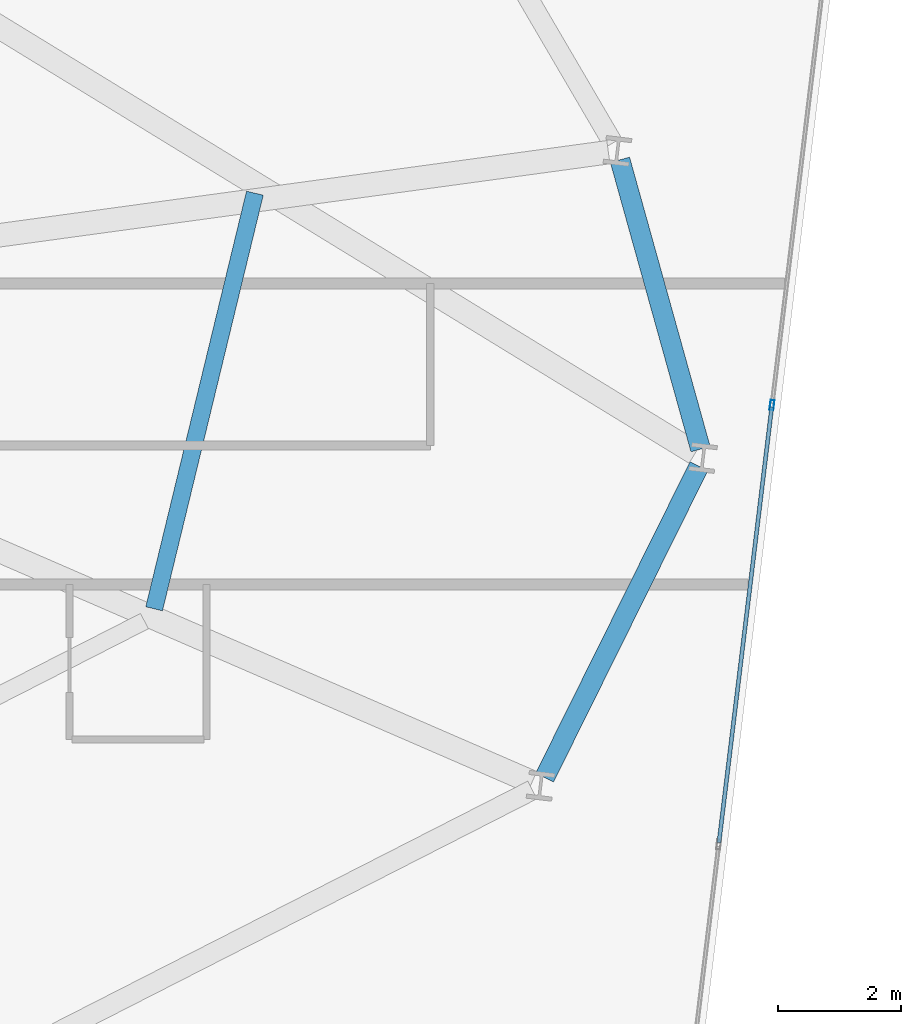
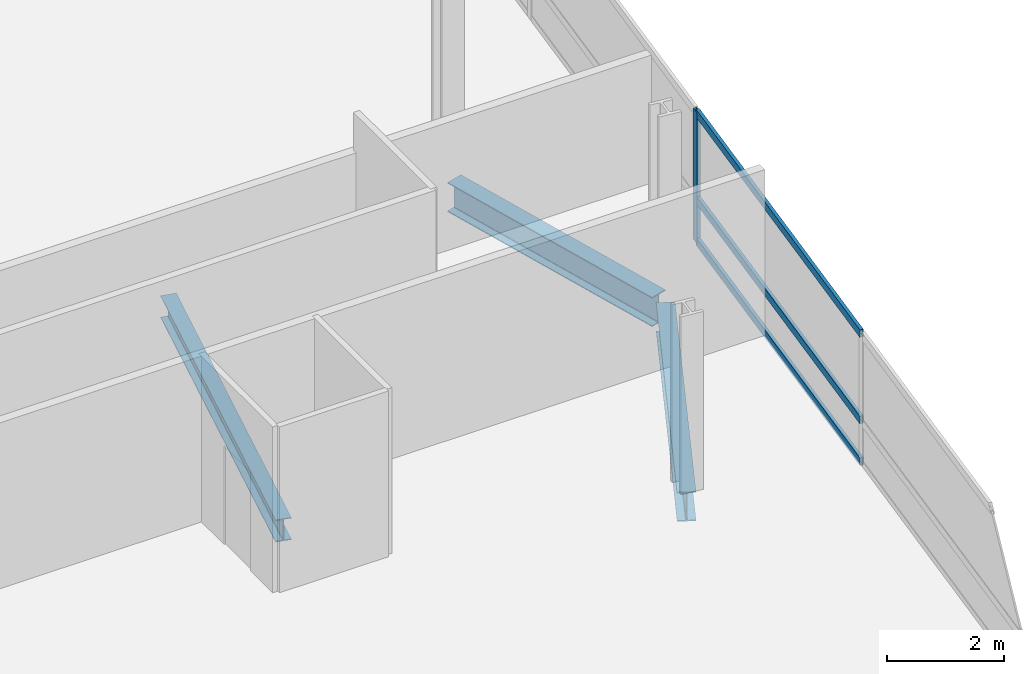
# One storey, part 15 of 25: 4 members, 3 beams, 1 element without a shape of its own.
"""IFC4 building model written with IfcOpenShell, lengths in metres."""

from ifc_helpers import new_model, si_unit, direction, frame, origin, origin_2d, place, context, subcontext, project, spatial, hollow_rectangle, i_section, extrude, material, layer, layer_set, material_profile, profile_set, type_object, element, aggregate, save


model = new_model("IFC4")

# Units and contexts
model_context = context("Model", 3, precision=1e-05, world=origin(), true_north=direction((0.0, 1.0)))
body_context = subcontext(model_context, "Body", "Model", "MODEL_VIEW")
ifc_project = project(units=[si_unit("LENGTHUNIT", "METRE"), si_unit("AREAUNIT", "SQUARE_METRE"), si_unit("VOLUMEUNIT", "CUBIC_METRE"), si_unit("PLANEANGLEUNIT", "RADIAN"), si_unit("MASSUNIT", "GRAM", prefix="KILO")], contexts=[model_context])

# Site, building, storey
site_placement = place(None, origin())
site = spatial("IfcSite", under=ifc_project, at=site_placement, CompositionType="ELEMENT")
building_placement = place(site_placement, origin())
building = spatial("IfcBuilding", under=site, at=building_placement, Name="Varnelok Gate Tower", CompositionType="ELEMENT")
storey_placement = place(building_placement, frame((0.0, 0.0, 136.5)))
storey = spatial("IfcBuildingStorey", under=building, at=storey_placement, Name="L34", CompositionType="ELEMENT", Elevation=136.5)

# Beams
ifc_material_1 = material(Name="Structural Steel ASTM A992 Grade 50", Category="steel")
ifc_material_profile_1 = material_profile(ifc_material_1, i_section(OverallWidth=0.280029296875, OverallDepth=0.462890625, WebThickness=0.0107421875, FlangeThickness=0.017333984375, FilletRadius=0.014892578125, at=origin_2d()), Name="W18X76")
ifc_profile_set_1 = profile_set([ifc_material_profile_1], Name="Structural Steel ASTM A992 Grade 50")
beam_type_1 = type_object("IfcBeamType", Name="BM-JST-W18X76", PredefinedType="JOIST", material=ifc_profile_set_1)
beam_1_placement = place(storey_placement, frame((65.509521484375, 13.952880859375, -0.4814453125), z_axis=(0.235590982902, 0.971852297819, 0.0), x_axis=(-0.971852297819, 0.235590982902, 0.0)))
element("IfcBeam", 1, at=beam_1_placement, inside=storey, type_object=beam_type_1, Name="L34 Sector Floor Joist 6", PredefinedType="JOIST", context=body_context, shape_type="SweptSolid", body=[
    extrude(i_section(OverallWidth=0.280029296875, OverallDepth=0.462890625, WebThickness=0.0107421875, FlangeThickness=0.017333984375, FilletRadius=0.014892578125, at=origin_2d()), origin(), (0.0, 0.0, 1.0), 6.95458984375),
])
ifc_material_profile_2 = material_profile(ifc_material_1, i_section(OverallWidth=0.323974609375, OverallDepth=0.611083984375, WebThickness=0.0126953125, FlangeThickness=0.01904296875, FilletRadius=0.01806640625, at=origin_2d()), Name="W24X104")
ifc_profile_set_2 = profile_set([ifc_material_profile_2], Name="Structural Steel ASTM A992 Grade 50")
beam_type_2 = type_object("IfcBeamType", Name="BM-SPN-W24X104", PredefinedType="SPANDREL", material=ifc_profile_set_2)
beam_2_placement = place(storey_placement, frame((71.859619140625, 11.20849609375, -0.555419921875), z_axis=(0.44413424616, 0.895960251009, 0.0), x_axis=(-0.895960251009, 0.44413424616, 0.0)))
element("IfcBeam", 2, at=beam_2_placement, inside=storey, type_object=beam_type_2, Name="L34 Perimeter Spandrel Beam 6", PredefinedType="SPANDREL", context=body_context, shape_type="SweptSolid", body=[
    extrude(i_section(OverallWidth=0.323974609375, OverallDepth=0.611083984375, WebThickness=0.0126953125, FlangeThickness=0.01904296875, FilletRadius=0.01806640625, at=origin_2d()), origin(), (0.0, 0.0, 1.0), 5.64990234375),
])
beam_3_placement = place(storey_placement, frame((74.395263671875, 16.54931640625, -0.555419921875), z_axis=(-0.26833732875, 0.963325011613, 0.0), x_axis=(-0.963325011613, -0.26833732875, 0.0)))
element("IfcBeam", 3, at=beam_3_placement, inside=storey, type_object=beam_type_2, Name="L34 Perimeter Spandrel Beam 7", PredefinedType="SPANDREL", context=body_context, shape_type="SweptSolid", body=[
    extrude(i_section(OverallWidth=0.323974609375, OverallDepth=0.611083984375, WebThickness=0.0126953125, FlangeThickness=0.01904296875, FilletRadius=0.01806640625, at=origin_2d()), origin(), (0.0, 0.0, 1.0), 4.884033203125),
])

# Curtain wall, members
ifc_material_2 = material(Name="Anodized Aluminum Alloy 6063-T6", Category="aluminium")
ifc_layer = layer(ifc_material_2, 0.179931640625)
ifc_layer_set = layer_set([ifc_layer], Name="Anodized Aluminum Alloy 6063-T6")
curtain_wall_type = type_object("IfcCurtainWallType", Name="CW3-HOTEL-VISION", PredefinedType="USERDEFINED", material=ifc_layer_set)
curtain_wall_placement = place(storey_placement, origin())
curtain_wall = element("IfcCurtainWall", 4, at=curtain_wall_placement, inside=storey, type_object=curtain_wall_type, Name="L34 East End Vision Curtain Wall", ObjectType="UNITISED CURTAIN WALL", PredefinedType="USERDEFINED")
ifc_material_profile_3 = material_profile(ifc_material_2, hollow_rectangle(XDim=0.06494140625, YDim=0.159912109375, WallThickness=0.00390625, at=origin_2d()), Name="ALU160X65X4")
ifc_profile_set_3 = profile_set([ifc_material_profile_3], Name="Anodized Aluminum Alloy 6063-T6")
member_type_1 = type_object("IfcMemberType", Name="CW-MULL-160", PredefinedType="MULLION", material=ifc_profile_set_3)
member_1_placement = place(storey_placement, frame((75.557373046875, 17.26611328125, 0.0), z_axis=(0.0, 0.0, 1.0), x_axis=(0.99273188146, -0.120347046212, 0.0)))
member_1 = element("IfcMember", 5, at=member_1_placement, type_object=member_type_1, Name="CW3 mullion 4", PredefinedType="MULLION", context=body_context, shape_type="SweptSolid", body=[
    extrude(hollow_rectangle(XDim=0.06494140625, YDim=0.159912109375, WallThickness=0.00390625, at=origin_2d()), origin(), (0.0, 0.0, 1.0), 2.72998046875),
])
ifc_material_profile_4 = material_profile(ifc_material_2, hollow_rectangle(XDim=0.06494140625, YDim=0.159912109375, WallThickness=0.00390625, at=origin_2d()), Name="ALU160X65X4")
ifc_profile_set_4 = profile_set([ifc_material_profile_4], Name="Anodized Aluminum Alloy 6063-T6")
member_type_2 = type_object("IfcMemberType", Name="CW-TRAN-160", PredefinedType="USERDEFINED", material=ifc_profile_set_4)
member_2_placement = place(storey_placement, frame((75.553466796875, 17.23388671875, 0.032470703125), z_axis=(-0.120340564253, -0.992732667235, 0.0), x_axis=(0.992732667235, -0.120340564253, 0.0)))
member_2 = element("IfcMember", 6, at=member_2_placement, type_object=member_type_2, Name="CW3 transom 4.1", ObjectType="TRANSOM", PredefinedType="USERDEFINED", context=body_context, shape_type="SweptSolid", body=[
    extrude(hollow_rectangle(XDim=0.06494140625, YDim=0.159912109375, WallThickness=0.00390625, at=origin_2d()), origin(), (0.0, 0.0, 1.0), 7.135009765625),
])
member_3_placement = place(storey_placement, frame((75.553466796875, 17.23388671875, 0.89990234375), z_axis=(-0.120340564253, -0.992732667235, 0.0), x_axis=(0.992732667235, -0.120340564253, 0.0)))
member_3 = element("IfcMember", 7, at=member_3_placement, type_object=member_type_2, Name="CW3 transom 4.2", ObjectType="TRANSOM", PredefinedType="USERDEFINED", context=body_context, shape_type="SweptSolid", body=[
    extrude(hollow_rectangle(XDim=0.06494140625, YDim=0.159912109375, WallThickness=0.00390625, at=origin_2d()), origin(), (0.0, 0.0, 1.0), 7.135009765625),
])
member_4_placement = place(storey_placement, frame((75.553466796875, 17.23388671875, 2.697509765625), z_axis=(-0.120340564253, -0.992732667235, 0.0), x_axis=(0.992732667235, -0.120340564253, 0.0)))
member_4 = element("IfcMember", 8, at=member_4_placement, type_object=member_type_2, Name="CW3 transom 4.3", ObjectType="TRANSOM", PredefinedType="USERDEFINED", context=body_context, shape_type="SweptSolid", body=[
    extrude(hollow_rectangle(XDim=0.06494140625, YDim=0.159912109375, WallThickness=0.00390625, at=origin_2d()), origin(), (0.0, 0.0, 1.0), 7.135009765625),
])
aggregate(curtain_wall, [member_1, member_2, member_3, member_4])

save(model, "model.ifc")
